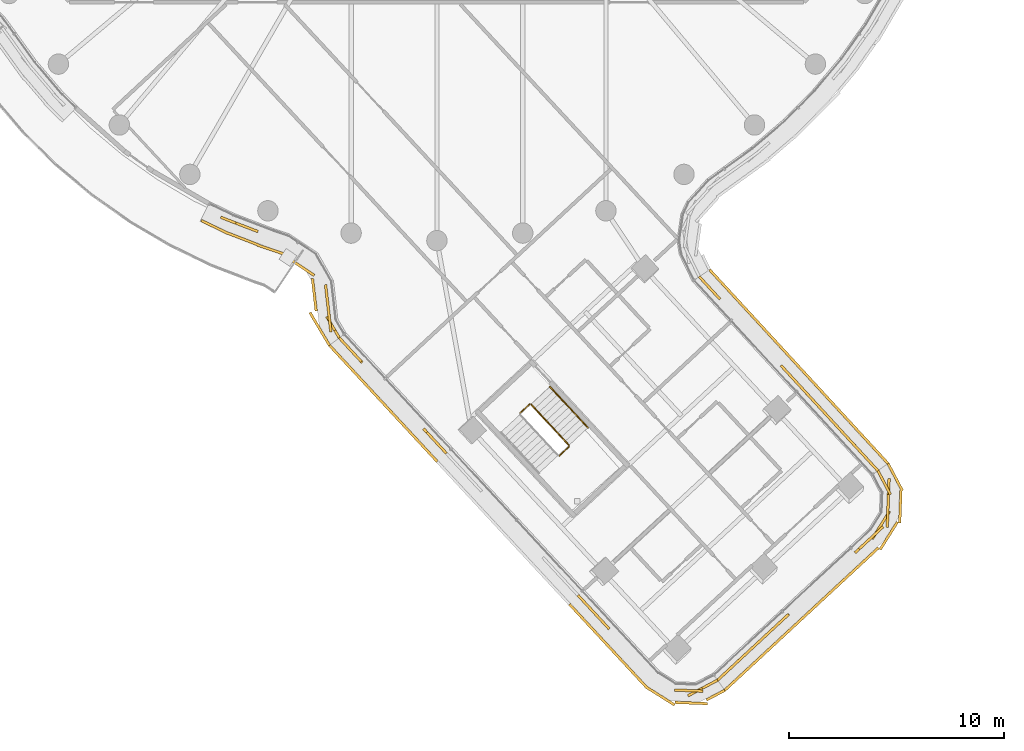
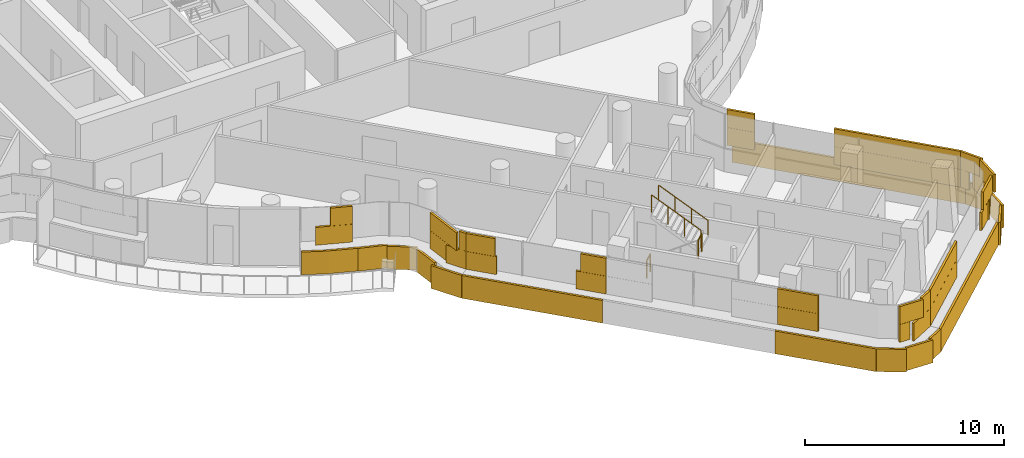
# One storey, part 28 of 34: 5 coverings, 4 railings.
"""IFC4 building model written with IfcOpenShell, lengths in metres."""

from ifc_helpers import new_model, si_unit, direction, frame, origin, origin_2d, place, context, subcontext, project, spatial, rectangle, circle, extrude, material, layer, layer_set, type_object, element, save


model = new_model("IFC4")

# Units and contexts
model_context = context("Model", 3, precision=1e-05, world=origin(), true_north=direction((0.0, 1.0)))
body_context = subcontext(model_context, "Body", "Model", "MODEL_VIEW")
ifc_project = project(units=[si_unit("LENGTHUNIT", "METRE"), si_unit("AREAUNIT", "SQUARE_METRE"), si_unit("VOLUMEUNIT", "CUBIC_METRE"), si_unit("PLANEANGLEUNIT", "RADIAN"), si_unit("MASSUNIT", "GRAM", prefix="KILO")], contexts=[model_context])

# Site, building, storey
site_placement = place(None, origin())
site = spatial("IfcSite", under=ifc_project, at=site_placement, CompositionType="ELEMENT")
building_placement = place(site_placement, origin())
building = spatial("IfcBuilding", under=site, at=building_placement, Name="Tamarind Cross Interchange Tower", CompositionType="ELEMENT")
storey_placement = place(building_placement, frame((0.0, 0.0, 189.699951171875)))
storey = spatial("IfcBuildingStorey", under=building, at=storey_placement, Name="L47", CompositionType="ELEMENT", Elevation=189.699951171875)

# Railings
ifc_material_1 = material(Name="Stair guard")
railing_type_1 = type_object("IfcRailingType", Name="Stair guard", PredefinedType="GUARDRAIL", material=ifc_material_1)
railing_1_placement = place(storey_placement, frame((5.705078125, -33.006591796875, 1.800048828125)))
element("IfcRailing", 1, at=railing_1_placement, inside=storey, type_object=railing_type_1, Name="L47 ST6 stair guard 2", PredefinedType="GUARDRAIL", context=body_context, shape_type="SweptSolid", body=[
    extrude(circle(Radius=0.02392578125, at=origin_2d()), frame((0.0, 0.0, 1.076171875), z_axis=(0.733257090677, 0.679951497514, 0.0), x_axis=(-0.679951497514, 0.733257090677, 0.0)), (0.0, 0.0, 1.0), 0.60009765625),
    extrude(circle(Radius=0.02099609375, at=origin_2d()), origin(), (0.0, 0.0, 1.0), 1.052001953125),
    extrude(circle(Radius=0.02099609375, at=origin_2d()), frame((0.43994140625, 0.407958984375, 0.0)), (0.0, 0.0, 1.0), 1.052001953125),
])
railing_2_placement = place(storey_placement, frame((6.147705078125, -32.528076171875, 1.963623046875)))
element("IfcRailing", 2, at=railing_2_placement, inside=storey, type_object=railing_type_1, Name="L47 ST6 stair guard 3", PredefinedType="GUARDRAIL", context=body_context, shape_type="SweptSolid", body=[
    extrude(circle(Radius=0.02392578125, at=origin_2d()), frame((0.0, 0.0, 1.076171875), z_axis=(-0.575410799515, 0.620626756555, 0.532658277745), x_axis=(-0.733314968766, -0.679889076676, 0.0)), (0.0, 0.0, 1.0), 3.072265625),
    extrude(circle(Radius=0.02099609375, at=origin_2d()), origin(), (0.0, 0.0, 1.0), 1.052001953125),
    extrude(circle(Radius=0.02099609375, at=origin_2d()), frame((-0.58935546875, 0.635498046875, 0.54541015625)), (0.0, 0.0, 1.0), 1.052001953125),
    extrude(circle(Radius=0.02099609375, at=origin_2d()), frame((-1.178466796875, 1.271240234375, 1.091064453125)), (0.0, 0.0, 1.0), 1.052001953125),
    extrude(circle(Radius=0.02099609375, at=origin_2d()), frame((-1.767822265625, 1.90673828125, 1.636474609375)), (0.0, 0.0, 1.0), 1.052001953125),
])
railing_3_placement = place(storey_placement, frame((3.869384765625, -31.026611328125, 0.0)))
element("IfcRailing", 3, at=railing_3_placement, inside=storey, type_object=railing_type_1, Name="L47 ST6 stair guard 4", PredefinedType="GUARDRAIL", context=body_context, shape_type="SweptSolid", body=[
    extrude(circle(Radius=0.02392578125, at=origin_2d()), frame((0.0, 0.0, 1.076171875), z_axis=(0.733257090677, 0.679951497514, 0.0), x_axis=(-0.679951497514, 0.733257090677, 0.0)), (0.0, 0.0, 1.0), 0.60009765625),
    extrude(circle(Radius=0.02099609375, at=origin_2d()), origin(), (0.0, 0.0, 1.0), 1.052001953125),
    extrude(circle(Radius=0.02099609375, at=origin_2d()), frame((0.43994140625, 0.407958984375, 0.0)), (0.0, 0.0, 1.0), 1.052001953125),
])
ifc_material_2 = material(Name="Stair handrail")
railing_type_2 = type_object("IfcRailingType", Name="Stair handrail", PredefinedType="HANDRAIL", material=ifc_material_2)
railing_4_placement = place(storey_placement, frame((7.027587890625, -31.712158203125, 1.963623046875)))
element("IfcRailing", 4, at=railing_4_placement, inside=storey, type_object=railing_type_2, Name="L47 ST6 stair handrail 2", PredefinedType="HANDRAIL", context=body_context, shape_type="SweptSolid", body=[
    extrude(circle(Radius=0.02392578125, at=origin_2d()), frame((0.0, 0.0, 0.8759765625), z_axis=(-0.575357641102, 0.620655134945, 0.532682633744), x_axis=(-0.733361783195, -0.679838580068, 0.0)), (0.0, 0.0, 1.0), 3.072021484375),
    extrude(circle(Radius=0.02099609375, at=origin_2d()), origin(), (0.0, 0.0, 1.0), 0.851806640625),
    extrude(circle(Radius=0.02099609375, at=origin_2d()), frame((-0.589111328125, 0.635498046875, 0.54541015625)), (0.0, 0.0, 1.0), 0.851806640625),
    extrude(circle(Radius=0.02099609375, at=origin_2d()), frame((-1.178466796875, 1.271240234375, 1.091064453125)), (0.0, 0.0, 1.0), 0.851806640625),
    extrude(circle(Radius=0.02099609375, at=origin_2d()), frame((-1.767578125, 1.90673828125, 1.636474609375)), (0.0, 0.0, 1.0), 0.851806640625),
])

# Coverings
ifc_material_3 = material(Name="Terracotta", Category="masonry")
ifc_layer = layer(ifc_material_3, 0.1201171875)
ifc_layer_set = layer_set([ifc_layer], Name="Terracotta")
covering_type = type_object("IfcCoveringType", Name="Terracotta baguette screen unit", PredefinedType="MOLDING", material=ifc_layer_set)
covering_1_placement = place(storey_placement, origin())
element("IfcCovering", 5, at=covering_1_placement, inside=storey, type_object=covering_type, Name="SCR-L47-00-00", PredefinedType="MOLDING", context=body_context, shape_type="SweptSolid", body=[
    extrude(rectangle(XDim=0.760009765625, YDim=0.1201171875, at=origin_2d()), frame((13.33984375, -43.20703125, 1.40380859375), z_axis=(0.0, 0.0, 1.0), x_axis=(0.73329332084, 0.679912424958, 0.0)), (0.0, 0.0, 1.0), 1.092041015625),
    extrude(rectangle(XDim=1.52001953125, YDim=0.1201171875, at=origin_2d()), frame((14.164794921875, -42.442138671875, 1.40380859375), z_axis=(0.0, 0.0, 1.0), x_axis=(0.73329332084, 0.679912424958, 0.0)), (0.0, 0.0, 1.0), 1.092041015625),
    extrude(rectangle(XDim=1.52001953125, YDim=0.1201171875, at=origin_2d()), frame((15.264892578125, -41.42236328125, 1.40380859375), z_axis=(0.0, 0.0, 1.0), x_axis=(0.73329332084, 0.679912424958, 0.0)), (0.0, 0.0, 1.0), 1.092041015625),
    extrude(rectangle(XDim=0.78466796875, YDim=0.1201171875, at=origin_2d()), frame((16.098876953125, -40.64892578125, 1.40380859375), z_axis=(0.0, 0.0, 1.0), x_axis=(0.73329332084, 0.679912424958, 0.0)), (0.0, 0.0, 1.0), 1.092041015625),
    extrude(rectangle(XDim=1.03515625, YDim=0.1201171875, at=origin_2d()), frame((19.838623046875, -37.181396484375, 1.40380859375), z_axis=(0.0, 0.0, 1.0), x_axis=(0.73329332084, 0.679912424958, 0.0)), (0.0, 0.0, 1.0), 1.092041015625),
    extrude(rectangle(XDim=1.52001953125, YDim=0.1201171875, at=origin_2d()), frame((20.668701171875, -36.24365234375, 1.40380859375), z_axis=(0.0, 0.0, 1.0), x_axis=(0.532332672263, 0.846535247961, 0.0)), (0.0, 0.0, 1.0), 1.092041015625),
    extrude(rectangle(XDim=1.52001953125, YDim=0.1201171875, at=origin_2d()), frame((21.019775390625, -34.83544921875, 1.40380859375), z_axis=(0.0, 0.0, 1.0), x_axis=(0.037745993464, 0.999287366065, 0.0)), (0.0, 0.0, 1.0), 1.092041015625),
    extrude(rectangle(XDim=0.509521484375, YDim=0.1201171875, at=origin_2d()), frame((20.642822265625, -33.930908203125, 1.40380859375), z_axis=(0.0, 0.0, 1.0), x_axis=(-0.466954693802, 0.884281241425, 0.0)), (0.0, 0.0, 1.0), 1.092041015625),
    extrude(rectangle(XDim=1.510009765625, YDim=0.1201171875, at=origin_2d()), frame((13.614990234375, -42.9521484375, 2.50390625), z_axis=(0.0, 0.0, 1.0), x_axis=(0.73329332084, 0.679912424958, 0.0)), (0.0, 0.0, 1.0), 1.092041015625),
    extrude(rectangle(XDim=1.52001953125, YDim=0.1201171875, at=origin_2d()), frame((14.71484375, -41.93212890625, 2.50390625), z_axis=(0.0, 0.0, 1.0), x_axis=(0.73329332084, 0.679912424958, 0.0)), (0.0, 0.0, 1.0), 1.092041015625),
    extrude(rectangle(XDim=1.52001953125, YDim=0.1201171875, at=origin_2d()), frame((15.814697265625, -40.912353515625, 2.50390625), z_axis=(0.0, 0.0, 1.0), x_axis=(0.73329332084, 0.679912424958, 0.0)), (0.0, 0.0, 1.0), 1.092041015625),
    extrude(rectangle(XDim=1.52001953125, YDim=0.1201171875, at=origin_2d()), frame((20.214599609375, -36.832763671875, 2.50390625), z_axis=(0.0, 0.0, 1.0), x_axis=(0.73329332084, 0.679912424958, 0.0)), (0.0, 0.0, 1.0), 1.092041015625),
    extrude(rectangle(XDim=1.52001953125, YDim=0.1201171875, at=origin_2d()), frame((20.991455078125, -35.5849609375, 2.50390625), z_axis=(0.0, 0.0, 1.0), x_axis=(0.037745993464, 0.999287366065, 0.0)), (0.0, 0.0, 1.0), 1.092041015625),
    extrude(rectangle(XDim=1.259521484375, YDim=0.1201171875, at=origin_2d()), frame((20.818115234375, -34.262451171875, 2.50390625), z_axis=(0.0, 0.0, 1.0), x_axis=(-0.466954693802, 0.884281241425, 0.0)), (0.0, 0.0, 1.0), 1.092041015625),
    extrude(rectangle(XDim=0.760009765625, YDim=0.1201171875, at=origin_2d()), frame((13.678466796875, -43.676025390625, 0.00390625), z_axis=(0.0, 0.0, 1.0), x_axis=(0.73329332084, 0.679912424958, 0.0)), (0.0, 0.0, 1.0), 1.39208984375),
    extrude(rectangle(XDim=1.52001953125, YDim=0.1201171875, at=origin_2d()), frame((14.499755859375, -42.91455078125, 0.00390625), z_axis=(0.0, 0.0, 1.0), x_axis=(0.73329332084, 0.679912424958, 0.0)), (0.0, 0.0, 1.0), 1.39208984375),
    extrude(rectangle(XDim=1.52001953125, YDim=0.1201171875, at=origin_2d()), frame((15.599609375, -41.89453125, 0.00390625), z_axis=(0.0, 0.0, 1.0), x_axis=(0.73329332084, 0.679912424958, 0.0)), (0.0, 0.0, 1.0), 1.39208984375),
    extrude(rectangle(XDim=1.52001953125, YDim=0.1201171875, at=origin_2d()), frame((16.69970703125, -40.874755859375, 0.00390625), z_axis=(0.0, 0.0, 1.0), x_axis=(0.73329332084, 0.679912424958, 0.0)), (0.0, 0.0, 1.0), 1.39208984375),
    extrude(rectangle(XDim=1.52001953125, YDim=0.1201171875, at=origin_2d()), frame((17.799560546875, -39.854736328125, 0.00390625), z_axis=(0.0, 0.0, 1.0), x_axis=(0.73329332084, 0.679912424958, 0.0)), (0.0, 0.0, 1.0), 1.39208984375),
    extrude(rectangle(XDim=1.52001953125, YDim=0.1201171875, at=origin_2d()), frame((18.8994140625, -38.8349609375, 0.00390625), z_axis=(0.0, 0.0, 1.0), x_axis=(0.73329332084, 0.679912424958, 0.0)), (0.0, 0.0, 1.0), 1.39208984375),
    extrude(rectangle(XDim=1.52001953125, YDim=0.1201171875, at=origin_2d()), frame((19.99951171875, -37.815185546875, 0.00390625), z_axis=(0.0, 0.0, 1.0), x_axis=(0.73329332084, 0.679912424958, 0.0)), (0.0, 0.0, 1.0), 1.39208984375),
    extrude(rectangle(XDim=1.52001953125, YDim=0.1201171875, at=origin_2d()), frame((21.033935546875, -36.740966796875, 0.00390625), z_axis=(0.0, 0.0, 1.0), x_axis=(0.532332672263, 0.846535247961, 0.0)), (0.0, 0.0, 1.0), 1.39208984375),
    extrude(rectangle(XDim=1.52001953125, YDim=0.1201171875, at=origin_2d()), frame((21.572998046875, -35.39111328125, 0.00390625), z_axis=(0.0, 0.0, 1.0), x_axis=(0.037745993464, 0.999287366065, 0.0)), (0.0, 0.0, 1.0), 1.39208984375),
    extrude(rectangle(XDim=1.426025390625, YDim=0.1201171875, at=origin_2d()), frame((21.33203125, -34.006591796875, 0.00390625), z_axis=(0.0, 0.0, 1.0), x_axis=(-0.466954693802, 0.884281241425, 0.0)), (0.0, 0.0, 1.0), 1.39208984375),
])
covering_2_placement = place(storey_placement, origin())
element("IfcCovering", 6, at=covering_2_placement, inside=storey, type_object=covering_type, Name="SCR-L47-01-00", PredefinedType="MOLDING", context=body_context, shape_type="SweptSolid", body=[
    extrude(rectangle(XDim=0.760009765625, YDim=0.1201171875, at=origin_2d()), frame((20.272216796875, -33.43408203125, 1.40380859375), z_axis=(0.0, 0.0, 1.0), x_axis=(-0.677310265309, 0.735697495243, 0.0)), (0.0, 0.0, 1.0), 1.092041015625),
    extrude(rectangle(XDim=1.52001953125, YDim=0.1201171875, at=origin_2d()), frame((19.51025390625, -32.6064453125, 1.40380859375), z_axis=(0.0, 0.0, 1.0), x_axis=(-0.677310265309, 0.735697495243, 0.0)), (0.0, 0.0, 1.0), 1.092041015625),
    extrude(rectangle(XDim=1.52001953125, YDim=0.1201171875, at=origin_2d()), frame((18.494384765625, -31.5029296875, 1.40380859375), z_axis=(0.0, 0.0, 1.0), x_axis=(-0.677310265309, 0.735697495243, 0.0)), (0.0, 0.0, 1.0), 1.092041015625),
    extrude(rectangle(XDim=1.52001953125, YDim=0.1201171875, at=origin_2d()), frame((17.478271484375, -30.3994140625, 1.40380859375), z_axis=(0.0, 0.0, 1.0), x_axis=(-0.677310265309, 0.735697495243, 0.0)), (0.0, 0.0, 1.0), 1.092041015625),
    extrude(rectangle(XDim=1.41259765625, YDim=0.1201171875, at=origin_2d()), frame((16.495361328125, -29.331787109375, 1.40380859375), z_axis=(0.0, 0.0, 1.0), x_axis=(-0.677310265309, 0.735697495243, 0.0)), (0.0, 0.0, 1.0), 1.092041015625),
    extrude(rectangle(XDim=0.4072265625, YDim=0.1201171875, at=origin_2d()), frame((13.041015625, -25.57958984375, 1.40380859375), z_axis=(0.0, 0.0, 1.0), x_axis=(-0.677310265309, 0.735697495243, 0.0)), (0.0, 0.0, 1.0), 1.092041015625),
    extrude(rectangle(XDim=1.03515625, YDim=0.1201171875, at=origin_2d()), frame((12.559326171875, -25.056396484375, 1.40380859375), z_axis=(0.0, 0.0, 1.0), x_axis=(-0.677310265309, 0.735697495243, 0.0)), (0.0, 0.0, 1.0), 1.092041015625),
    extrude(rectangle(XDim=1.510009765625, YDim=0.1201171875, at=origin_2d()), frame((20.018310546875, -33.158203125, 2.50390625), z_axis=(0.0, 0.0, 1.0), x_axis=(-0.677310265309, 0.735697495243, 0.0)), (0.0, 0.0, 1.0), 1.092041015625),
    extrude(rectangle(XDim=1.52001953125, YDim=0.1201171875, at=origin_2d()), frame((19.002197265625, -32.0546875, 2.50390625), z_axis=(0.0, 0.0, 1.0), x_axis=(-0.677310265309, 0.735697495243, 0.0)), (0.0, 0.0, 1.0), 1.092041015625),
    extrude(rectangle(XDim=1.52001953125, YDim=0.1201171875, at=origin_2d()), frame((17.986328125, -30.951171875, 2.50390625), z_axis=(0.0, 0.0, 1.0), x_axis=(-0.677310265309, 0.735697495243, 0.0)), (0.0, 0.0, 1.0), 1.092041015625),
    extrude(rectangle(XDim=1.52001953125, YDim=0.1201171875, at=origin_2d()), frame((16.970458984375, -29.84765625, 2.50390625), z_axis=(0.0, 0.0, 1.0), x_axis=(-0.677310265309, 0.735697495243, 0.0)), (0.0, 0.0, 1.0), 1.092041015625),
    extrude(rectangle(XDim=0.66259765625, YDim=0.1201171875, at=origin_2d()), frame((16.241455078125, -29.055908203125, 2.50390625), z_axis=(0.0, 0.0, 1.0), x_axis=(-0.677310265309, 0.735697495243, 0.0)), (0.0, 0.0, 1.0), 1.092041015625),
    extrude(rectangle(XDim=1.1572265625, YDim=0.1201171875, at=origin_2d()), frame((12.787109375, -25.3037109375, 2.50390625), z_axis=(0.0, 0.0, 1.0), x_axis=(-0.677310265309, 0.735697495243, 0.0)), (0.0, 0.0, 1.0), 1.092041015625),
    extrude(rectangle(XDim=0.28515625, YDim=0.1201171875, at=origin_2d()), frame((12.305419921875, -24.780517578125, 2.50390625), z_axis=(0.0, 0.0, 1.0), x_axis=(-0.677310265309, 0.735697495243, 0.0)), (0.0, 0.0, 1.0), 1.092041015625),
    extrude(rectangle(XDim=0.760009765625, YDim=0.1201171875, at=origin_2d()), frame((20.74169921875, -33.096435546875, 0.00390625), z_axis=(0.0, 0.0, 1.0), x_axis=(-0.677310265309, 0.735697495243, 0.0)), (0.0, 0.0, 1.0), 1.39208984375),
    extrude(rectangle(XDim=1.52001953125, YDim=0.1201171875, at=origin_2d()), frame((19.983154296875, -32.2724609375, 0.00390625), z_axis=(0.0, 0.0, 1.0), x_axis=(-0.677310265309, 0.735697495243, 0.0)), (0.0, 0.0, 1.0), 1.39208984375),
    extrude(rectangle(XDim=1.52001953125, YDim=0.1201171875, at=origin_2d()), frame((18.967041015625, -31.1689453125, 0.00390625), z_axis=(0.0, 0.0, 1.0), x_axis=(-0.677310265309, 0.735697495243, 0.0)), (0.0, 0.0, 1.0), 1.39208984375),
    extrude(rectangle(XDim=1.52001953125, YDim=0.1201171875, at=origin_2d()), frame((17.951171875, -30.0654296875, 0.00390625), z_axis=(0.0, 0.0, 1.0), x_axis=(-0.677310265309, 0.735697495243, 0.0)), (0.0, 0.0, 1.0), 1.39208984375),
    extrude(rectangle(XDim=1.52001953125, YDim=0.1201171875, at=origin_2d()), frame((16.93505859375, -28.9619140625, 0.00390625), z_axis=(0.0, 0.0, 1.0), x_axis=(-0.677310265309, 0.735697495243, 0.0)), (0.0, 0.0, 1.0), 1.39208984375),
    extrude(rectangle(XDim=1.52001953125, YDim=0.1201171875, at=origin_2d()), frame((15.919189453125, -27.8583984375, 0.00390625), z_axis=(0.0, 0.0, 1.0), x_axis=(-0.677310265309, 0.735697495243, 0.0)), (0.0, 0.0, 1.0), 1.39208984375),
    extrude(rectangle(XDim=1.52001953125, YDim=0.1201171875, at=origin_2d()), frame((14.9033203125, -26.7548828125, 0.00390625), z_axis=(0.0, 0.0, 1.0), x_axis=(-0.677310265309, 0.735697495243, 0.0)), (0.0, 0.0, 1.0), 1.39208984375),
    extrude(rectangle(XDim=1.52001953125, YDim=0.1201171875, at=origin_2d()), frame((13.88720703125, -25.6513671875, 0.00390625), z_axis=(0.0, 0.0, 1.0), x_axis=(-0.677310265309, 0.735697495243, 0.0)), (0.0, 0.0, 1.0), 1.39208984375),
    extrude(rectangle(XDim=1.02490234375, YDim=0.1201171875, at=origin_2d()), frame((13.0390625, -24.72998046875, 0.00390625), z_axis=(0.0, 0.0, 1.0), x_axis=(-0.677310265309, 0.735697495243, 0.0)), (0.0, 0.0, 1.0), 1.39208984375),
])
covering_3_placement = place(storey_placement, origin())
element("IfcCovering", 7, at=covering_3_placement, inside=storey, type_object=covering_type, Name="SCR-L47-10-01", PredefinedType="MOLDING", context=body_context, shape_type="SweptSolid", body=[
    extrude(rectangle(XDim=1.52001953125, YDim=0.1201171875, at=origin_2d()), frame((-9.354248046875, -22.185791015625, 1.40380859375), z_axis=(0.0, 0.0, 1.0), x_axis=(0.933146843667, -0.359495435512, 0.0)), (0.0, 0.0, 1.0), 1.092041015625),
    extrude(rectangle(XDim=0.35693359375, YDim=0.1201171875, at=origin_2d()), frame((-8.49267578125, -22.517822265625, 1.40380859375), z_axis=(0.0, 0.0, 1.0), x_axis=(0.933146843667, -0.359495435512, 0.0)), (0.0, 0.0, 1.0), 1.092041015625),
    extrude(rectangle(XDim=1.462890625, YDim=0.1201171875, at=origin_2d()), frame((-5.100341796875, -25.779541015625, 1.40380859375), z_axis=(0.0, 0.0, 1.0), x_axis=(0.116102474619, -0.993237240234, 0.0)), (0.0, 0.0, 1.0), 1.092041015625),
    extrude(rectangle(XDim=1.159912109375, YDim=0.1201171875, at=origin_2d()), frame((-4.836669921875, -27.033203125, 1.40380859375), z_axis=(0.0, 0.0, 1.0), x_axis=(0.510330036223, -0.859978635856, 0.0)), (0.0, 0.0, 1.0), 1.092041015625),
    extrude(rectangle(XDim=1.10693359375, YDim=0.1201171875, at=origin_2d()), frame((-8.842529296875, -22.383056640625, 2.50390625), z_axis=(0.0, 0.0, 1.0), x_axis=(0.933146843667, -0.359495435512, 0.0)), (0.0, 0.0, 1.0), 1.092041015625),
    extrude(rectangle(XDim=0.712890625, YDim=0.1201171875, at=origin_2d()), frame((-5.143798828125, -25.406982421875, 2.50390625), z_axis=(0.0, 0.0, 1.0), x_axis=(0.116102474619, -0.993237240234, 0.0)), (0.0, 0.0, 1.0), 1.092041015625),
    extrude(rectangle(XDim=1.52001953125, YDim=0.1201171875, at=origin_2d()), frame((-5.018798828125, -26.50146484375, 2.50390625), z_axis=(0.0, 0.0, 1.0), x_axis=(0.111188768096, -0.993799304613, 0.0)), (0.0, 0.0, 1.0), 1.092041015625),
    extrude(rectangle(XDim=0.409912109375, YDim=0.1201171875, at=origin_2d()), frame((-4.6455078125, -27.355712890625, 2.50390625), z_axis=(0.0, 0.0, 1.0), x_axis=(0.510330036223, -0.859978635856, 0.0)), (0.0, 0.0, 1.0), 1.092041015625),
    extrude(rectangle(XDim=1.379638671875, YDim=0.1201171875, at=origin_2d()), frame((-10.3525390625, -22.36279296875, 0.00390625), z_axis=(0.0, 0.0, 1.0), x_axis=(0.900272776334, -0.435326231914, 0.0)), (0.0, 0.0, 1.0), 1.39208984375),
    extrude(rectangle(XDim=1.52001953125, YDim=0.1201171875, at=origin_2d()), frame((-9.038330078125, -22.922607421875, 0.00390625), z_axis=(0.0, 0.0, 1.0), x_axis=(0.933146843667, -0.359495435512, 0.0)), (0.0, 0.0, 1.0), 1.39208984375),
    extrude(rectangle(XDim=1.52001953125, YDim=0.1201171875, at=origin_2d()), frame((-7.634033203125, -23.44970703125, 0.00390625), z_axis=(0.0, 0.0, 1.0), x_axis=(0.947752126651, -0.319007690234, 0.0)), (0.0, 0.0, 1.0), 1.39208984375),
    extrude(rectangle(XDim=1.52001953125, YDim=0.1201171875, at=origin_2d()), frame((-6.344482421875, -24.1962890625, 0.00390625), z_axis=(0.0, 0.0, 1.0), x_axis=(0.830965766749, -0.556323551983, 0.0)), (0.0, 0.0, 1.0), 1.39208984375),
    extrude(rectangle(XDim=1.52001953125, YDim=0.1201171875, at=origin_2d()), frame((-5.708740234375, -25.517578125, 0.00390625), z_axis=(0.0, 0.0, 1.0), x_axis=(0.116102474619, -0.993237240234, 0.0)), (0.0, 0.0, 1.0), 1.39208984375),
    extrude(rectangle(XDim=1.52001953125, YDim=0.1201171875, at=origin_2d()), frame((-5.522705078125, -27.002197265625, 0.00390625), z_axis=(0.0, 0.0, 1.0), x_axis=(0.510330036223, -0.859978635856, 0.0)), (0.0, 0.0, 1.0), 1.39208984375),
    extrude(rectangle(XDim=0.27294921875, YDim=0.1201171875, at=origin_2d()), frame((-5.075439453125, -27.755859375, 0.00390625), z_axis=(0.0, 0.0, 1.0), x_axis=(0.510330036223, -0.859978635856, 0.0)), (0.0, 0.0, 1.0), 1.39208984375),
])
covering_4_placement = place(storey_placement, origin())
element("IfcCovering", 8, at=covering_4_placement, inside=storey, type_object=covering_type, Name="SCR-L47-11-00", PredefinedType="MOLDING", context=body_context, shape_type="SweptSolid", body=[
    extrude(rectangle(XDim=0.760009765625, YDim=0.1201171875, at=origin_2d()), frame((-4.288330078125, -27.802734375, 1.40380859375), z_axis=(0.0, 0.0, 1.0), x_axis=(0.679912424958, -0.73329332084, 0.0)), (0.0, 0.0, 1.0), 1.092041015625),
    extrude(rectangle(XDim=0.82666015625, YDim=0.1201171875, at=origin_2d()), frame((-3.755859375, -28.377197265625, 1.40380859375), z_axis=(0.0, 0.0, 1.0), x_axis=(0.679912424958, -0.73329332084, 0.0)), (0.0, 0.0, 1.0), 1.092041015625),
    extrude(rectangle(XDim=0.993408203125, YDim=0.1201171875, at=origin_2d()), frame((-0.288330078125, -32.116943359375, 1.40380859375), z_axis=(0.0, 0.0, 1.0), x_axis=(0.679912424958, -0.73329332084, 0.0)), (0.0, 0.0, 1.0), 1.092041015625),
    extrude(rectangle(XDim=0.59326171875, YDim=0.1201171875, at=origin_2d()), frame((0.244384765625, -32.69140625, 1.40380859375), z_axis=(0.0, 0.0, 1.0), x_axis=(0.679912424958, -0.73329332084, 0.0)), (0.0, 0.0, 1.0), 1.092041015625),
    extrude(rectangle(XDim=1.510009765625, YDim=0.1201171875, at=origin_2d()), frame((-4.033447265625, -28.07763671875, 2.50390625), z_axis=(0.0, 0.0, 1.0), x_axis=(0.679912424958, -0.73329332084, 0.0)), (0.0, 0.0, 1.0), 1.092041015625),
    extrude(rectangle(XDim=1.34326171875, YDim=0.1201171875, at=origin_2d()), frame((-0.010498046875, -32.416259765625, 2.50390625), z_axis=(0.0, 0.0, 1.0), x_axis=(0.679912424958, -0.73329332084, 0.0)), (0.0, 0.0, 1.0), 1.092041015625),
    extrude(rectangle(XDim=0.760009765625, YDim=0.1201171875, at=origin_2d()), frame((-4.747314453125, -28.15185546875, 0.00390625), z_axis=(0.0, 0.0, 1.0), x_axis=(0.679912424958, -0.73329332084, 0.0)), (0.0, 0.0, 1.0), 1.39208984375),
    extrude(rectangle(XDim=1.52001953125, YDim=0.1201171875, at=origin_2d()), frame((-3.98583984375, -28.97314453125, 0.00390625), z_axis=(0.0, 0.0, 1.0), x_axis=(0.679912424958, -0.73329332084, 0.0)), (0.0, 0.0, 1.0), 1.39208984375),
    extrude(rectangle(XDim=1.52001953125, YDim=0.1201171875, at=origin_2d()), frame((-2.966064453125, -30.072998046875, 0.00390625), z_axis=(0.0, 0.0, 1.0), x_axis=(0.679912424958, -0.73329332084, 0.0)), (0.0, 0.0, 1.0), 1.39208984375),
    extrude(rectangle(XDim=1.52001953125, YDim=0.1201171875, at=origin_2d()), frame((-1.9462890625, -31.173095703125, 0.00390625), z_axis=(0.0, 0.0, 1.0), x_axis=(0.679912424958, -0.73329332084, 0.0)), (0.0, 0.0, 1.0), 1.39208984375),
    extrude(rectangle(XDim=1.52001953125, YDim=0.1201171875, at=origin_2d()), frame((-0.92626953125, -32.27294921875, 0.00390625), z_axis=(0.0, 0.0, 1.0), x_axis=(0.679912424958, -0.73329332084, 0.0)), (0.0, 0.0, 1.0), 1.39208984375),
    extrude(rectangle(XDim=0.6396484375, YDim=0.1201171875, at=origin_2d()), frame((-0.205810546875, -33.05029296875, 0.00390625), z_axis=(0.0, 0.0, 1.0), x_axis=(0.679912424958, -0.73329332084, 0.0)), (0.0, 0.0, 1.0), 1.39208984375),
])
covering_5_placement = place(storey_placement, origin())
element("IfcCovering", 9, at=covering_5_placement, inside=storey, type_object=covering_type, Name="SCR-L47-11-02", PredefinedType="MOLDING", context=body_context, shape_type="SweptSolid", body=[
    extrude(rectangle(XDim=0.917724609375, YDim=0.1201171875, at=origin_2d()), frame((6.87646484375, -39.84423828125, 1.40380859375), z_axis=(0.0, 0.0, 1.0), x_axis=(0.679912424958, -0.73329332084, 0.0)), (0.0, 0.0, 1.0), 1.092041015625),
    extrude(rectangle(XDim=1.2333984375, YDim=0.1201171875, at=origin_2d()), frame((7.60107421875, -40.62548828125, 1.40380859375), z_axis=(0.0, 0.0, 1.0), x_axis=(0.679912424958, -0.73329332084, 0.0)), (0.0, 0.0, 1.0), 1.092041015625),
    extrude(rectangle(XDim=0.586669921875, YDim=0.1201171875, at=origin_2d()), frame((11.3466796875, -43.93310546875, 1.40380859375), z_axis=(0.0, 0.0, 1.0), x_axis=(0.999287366065, -0.037745993464, 0.0)), (0.0, 0.0, 1.0), 1.092041015625),
    extrude(rectangle(XDim=1.52001953125, YDim=0.1201171875, at=origin_2d()), frame((12.353515625, -43.837646484375, 1.40380859375), z_axis=(0.0, 0.0, 1.0), x_axis=(0.884281241425, 0.466954693802, 0.0)), (0.0, 0.0, 1.0), 1.092041015625),
    extrude(rectangle(XDim=0.064453125, YDim=0.1201171875, at=origin_2d()), frame((13.040771484375, -43.474609375, 1.40380859375), z_axis=(0.0, 0.0, 1.0), x_axis=(0.884281241425, 0.466954693802, 0.0)), (0.0, 0.0, 1.0), 1.092041015625),
    extrude(rectangle(XDim=0.167724609375, YDim=0.1201171875, at=origin_2d()), frame((6.62158203125, -39.5693359375, 2.50390625), z_axis=(0.0, 0.0, 1.0), x_axis=(0.679912424958, -0.73329332084, 0.0)), (0.0, 0.0, 1.0), 1.092041015625),
    extrude(rectangle(XDim=1.52001953125, YDim=0.1201171875, at=origin_2d()), frame((7.18505859375, -40.177001953125, 2.50390625), z_axis=(0.0, 0.0, 1.0), x_axis=(0.679912424958, -0.73329332084, 0.0)), (0.0, 0.0, 1.0), 1.092041015625),
    extrude(rectangle(XDim=0.4833984375, YDim=0.1201171875, at=origin_2d()), frame((7.85595703125, -40.900634765625, 2.50390625), z_axis=(0.0, 0.0, 1.0), x_axis=(0.679912424958, -0.73329332084, 0.0)), (0.0, 0.0, 1.0), 1.092041015625),
    extrude(rectangle(XDim=1.336669921875, YDim=0.1201171875, at=origin_2d()), frame((11.721435546875, -43.947265625, 2.50390625), z_axis=(0.0, 0.0, 1.0), x_axis=(0.999287366065, -0.037745993464, 0.0)), (0.0, 0.0, 1.0), 1.092041015625),
    extrude(rectangle(XDim=0.814453125, YDim=0.1201171875, at=origin_2d()), frame((12.709228515625, -43.64990234375, 2.50390625), z_axis=(0.0, 0.0, 1.0), x_axis=(0.884281241425, 0.466954693802, 0.0)), (0.0, 0.0, 1.0), 1.092041015625),
    extrude(rectangle(XDim=0.814208984375, YDim=0.1201171875, at=origin_2d()), frame((6.45263671875, -40.2314453125, 0.00390625), z_axis=(0.0, 0.0, 1.0), x_axis=(0.679912424958, -0.73329332084, 0.0)), (0.0, 0.0, 1.0), 1.39208984375),
    extrude(rectangle(XDim=1.52001953125, YDim=0.1201171875, at=origin_2d()), frame((7.232666015625, -41.072509765625, 0.00390625), z_axis=(0.0, 0.0, 1.0), x_axis=(0.679912424958, -0.73329332084, 0.0)), (0.0, 0.0, 1.0), 1.39208984375),
    extrude(rectangle(XDim=1.52001953125, YDim=0.1201171875, at=origin_2d()), frame((8.25244140625, -42.17236328125, 0.00390625), z_axis=(0.0, 0.0, 1.0), x_axis=(0.679912424958, -0.73329332084, 0.0)), (0.0, 0.0, 1.0), 1.39208984375),
    extrude(rectangle(XDim=1.52001953125, YDim=0.1201171875, at=origin_2d()), frame((9.2724609375, -43.2724609375, 0.00390625), z_axis=(0.0, 0.0, 1.0), x_axis=(0.679912424958, -0.73329332084, 0.0)), (0.0, 0.0, 1.0), 1.39208984375),
    extrude(rectangle(XDim=1.52001953125, YDim=0.1201171875, at=origin_2d()), frame((10.423095703125, -44.214599609375, 0.00390625), z_axis=(0.0, 0.0, 1.0), x_axis=(0.846535247961, -0.532332672263, 0.0)), (0.0, 0.0, 1.0), 1.39208984375),
    extrude(rectangle(XDim=1.52001953125, YDim=0.1201171875, at=origin_2d()), frame((11.84326171875, -44.5263671875, 0.00390625), z_axis=(0.0, 0.0, 1.0), x_axis=(0.999287366065, -0.037745993464, 0.0)), (0.0, 0.0, 1.0), 1.39208984375),
    extrude(rectangle(XDim=0.967529296875, YDim=0.1201171875, at=origin_2d()), frame((12.97216796875, -44.16015625, 0.00390625), z_axis=(0.0, 0.0, 1.0), x_axis=(0.884281241425, 0.466954693802, 0.0)), (0.0, 0.0, 1.0), 1.39208984375),
])

save(model, "model.ifc")
